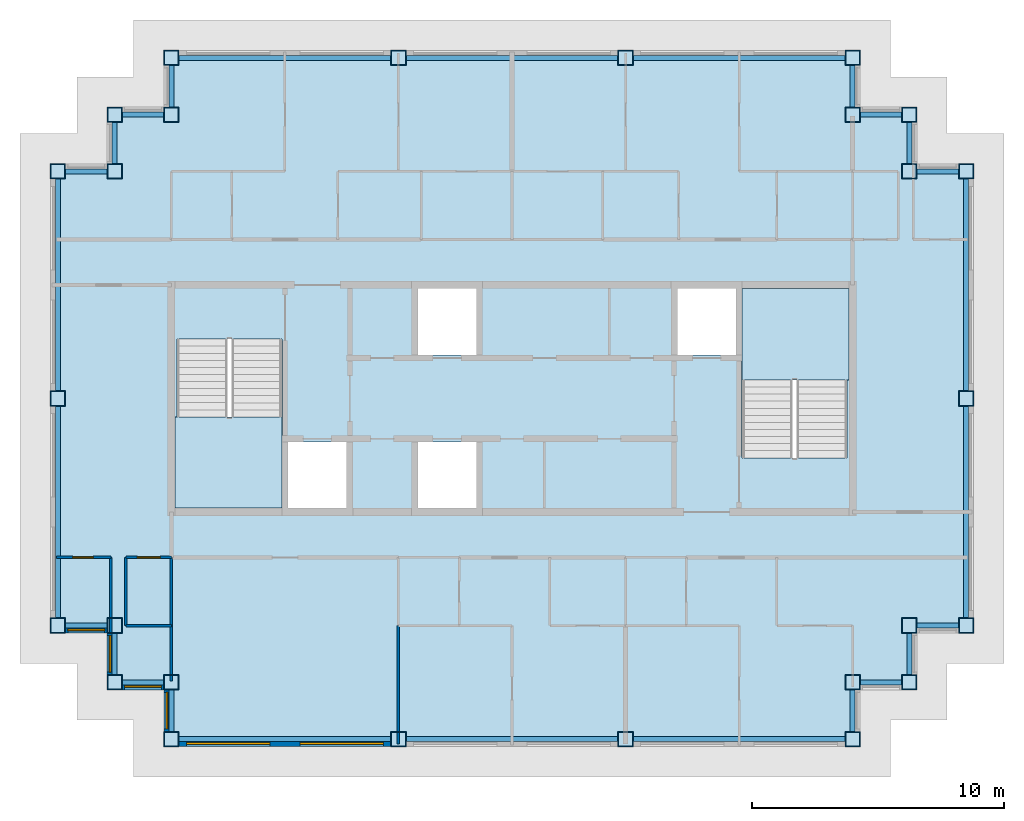
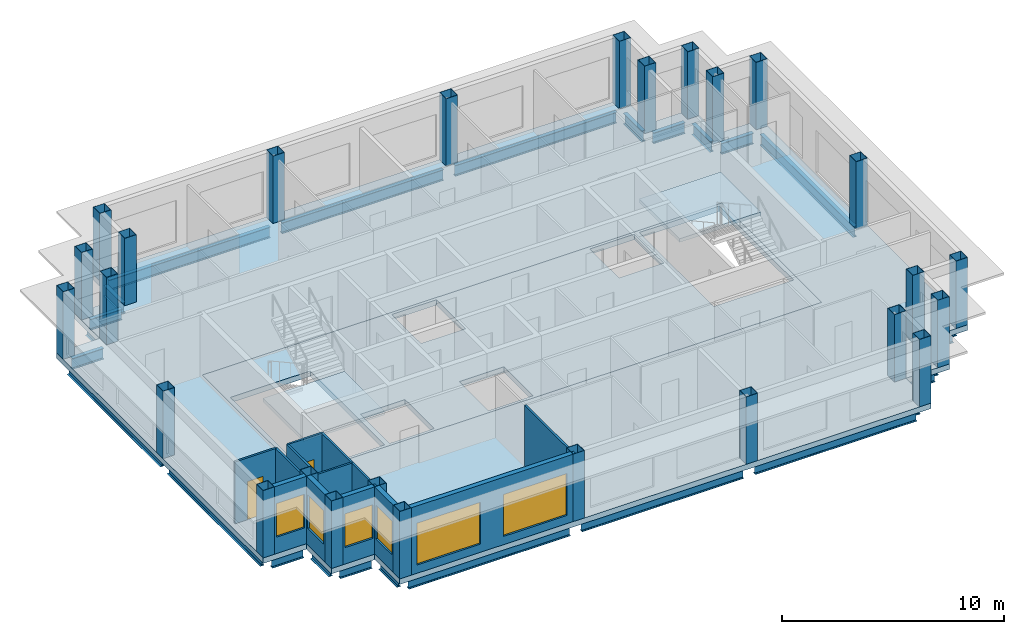
# One storey, part 1 of 11: 26 beams, 26 columns, 12 walls, 6 windows, 4 slabs, 2 doors, 8 openings, 2 elements without a shape of their own.
"""IFC4 building model written with IfcOpenShell, lengths in metres."""

import ifcopenshell
import ifcopenshell.guid

model = None  # the IFC model being written
_history = None  # IfcOwnerHistory: only IFC2X3 demands one
_inside = {}  # id of a spatial element -> (the spatial element, [elements in it])
_under = {}  # id of a project, library or spatial element -> (it, [spatial elements below it])
_declared = {}  # id of a project -> (the project, [libraries it declares])
_typed = {}  # id of a type object -> (the type object, [elements of that type])
_made_of = {}  # id of a material, layer set ... -> (it, [elements and type objects made of it])


def new_model(schema):
    """Start an empty IFC model of exactly this schema.

    Asked for "IFC4X3", IfcOpenShell would pick the latest addendum, in which some entities
    have other attributes; the version numbers below select the first issue.
    IFC2X3 requires an IfcOwnerHistory on every rooted entity: one is made here for all.
    """
    global model, _history
    if schema == "IFC4X3":
        model = ifcopenshell.file(schema_version=(4, 3, 0, 0))
    else:
        model = ifcopenshell.file(schema=schema)
    _inside.clear()
    _under.clear()
    _declared.clear()
    _typed.clear()
    _made_of.clear()
    _history = None
    if model.schema == "IFC2X3":
        org = make("IfcOrganization", Name="unknown")
        user = make(
            "IfcPersonAndOrganization",
            ThePerson=make("IfcPerson", FamilyName="unknown"),
            TheOrganization=org,
        )
        app = make(
            "IfcApplication",
            ApplicationDeveloper=org,
            Version="unknown",
            ApplicationFullName="unknown",
            ApplicationIdentifier="unknown",
        )
        _history = make(
            "IfcOwnerHistory",
            OwningUser=user,
            OwningApplication=app,
            ChangeAction="ADDED",
            CreationDate=0,
        )
    return model


def make(cls, **values):
    """One entity of the class cls with the attributes given. An attribute that is None is left unset."""
    return model.create_entity(
        cls, **{name: value for name, value in values.items() if value is not None}
    )


def rooted(cls, **values):
    """An entity with a GlobalId (a new one), such as an element, a storey or a relation."""
    return make(cls, GlobalId=ifcopenshell.guid.new(), OwnerHistory=_history, **values)


def si_unit(unit_type, name, prefix=None):
    """IfcSIUnit, for example si_unit("LENGTHUNIT", "METRE", prefix="MILLI")."""
    return make("IfcSIUnit", UnitType=unit_type, Prefix=prefix, Name=name)


def assignment(units):
    """IfcUnitAssignment: the units of a project."""
    return None if units is None else make("IfcUnitAssignment", Units=units)


def point(xyz):
    """IfcCartesianPoint."""
    return None if xyz is None else make("IfcCartesianPoint", Coordinates=xyz)


def direction(xyz):
    """IfcDirection."""
    return None if xyz is None else make("IfcDirection", DirectionRatios=xyz)


def frame(location, z_axis=None, x_axis=None):
    """IfcAxis2Placement3D, a coordinate frame: its origin and axes. An axis left out is left unset."""
    return make(
        "IfcAxis2Placement3D",
        Location=point(location),
        Axis=direction(z_axis),
        RefDirection=direction(x_axis),
    )


def frame_2d(location, x_axis=None):
    """IfcAxis2Placement2D, a coordinate frame in the plane: its origin and x axis."""
    return make(
        "IfcAxis2Placement2D", Location=point(location), RefDirection=direction(x_axis)
    )


def origin():
    """The frame at (0, 0, 0) with its axes left unset."""
    return frame((0.0, 0.0, 0.0))


def origin_2d():
    """The frame at (0, 0) in the plane with its x axis left unset."""
    return frame_2d((0.0, 0.0))


def place(relative_to, where):
    """IfcLocalPlacement: puts the frame where relative to a parent placement (None: the world)."""
    return make(
        "IfcLocalPlacement", PlacementRelTo=relative_to, RelativePlacement=where
    )


def context(
    kind, dimensions, precision=None, world=None, true_north=None, identifier=None
):
    """IfcGeometricRepresentationContext, for example the 3D "Model" context."""
    return make(
        "IfcGeometricRepresentationContext",
        ContextIdentifier=identifier,
        ContextType=kind,
        CoordinateSpaceDimension=dimensions,
        Precision=precision,
        WorldCoordinateSystem=world,
        TrueNorth=true_north,
    )


def subcontext(parent, identifier, kind, view, scale=None):
    """IfcGeometricRepresentationSubContext, for example "Body" below "Model"."""
    return make(
        "IfcGeometricRepresentationSubContext",
        ContextIdentifier=identifier,
        ContextType=kind,
        ParentContext=parent,
        TargetScale=scale,
        TargetView=view,
    )


def project(units=None, contexts=None):
    """IfcProject with its units and contexts."""
    return rooted(
        "IfcProject",
        Name="project",
        RepresentationContexts=contexts,
        UnitsInContext=assignment(units),
    )


def spatial(cls, under=None, at=None, **own):
    """A site, building, storey or space (cls), placed at a placement, below another one or the project."""
    s = rooted(cls, ObjectPlacement=at, **own)
    if under is not None:
        _under.setdefault(under.id(), (under, []))[1].append(s)
    return s


def polyline(points):
    """IfcPolyline through the points."""
    return make("IfcPolyline", Points=[point(p) for p in points])


def profile(cls, at=None, kind="AREA", **sizes):
    """A parametric profile (cls). Its sizes go by their IFC names, for example OverallWidth=200.0."""
    return make(cls, ProfileType=kind, Position=at, **sizes)


def rectangle(**sizes):
    """IfcRectangleProfileDef."""
    return profile("IfcRectangleProfileDef", **sizes)


def hollow_rectangle(**sizes):
    """IfcRectangleHollowProfileDef."""
    return profile("IfcRectangleHollowProfileDef", **sizes)


def i_section(**sizes):
    """IfcIShapeProfileDef."""
    return profile("IfcIShapeProfileDef", **sizes)


def outline(outer, holes=None, kind="AREA"):
    """IfcArbitraryClosedProfileDef: a profile drawn as a closed curve; with holes, ...WithVoids."""
    if holes is None:
        return make("IfcArbitraryClosedProfileDef", ProfileType=kind, OuterCurve=outer)
    return make(
        "IfcArbitraryProfileDefWithVoids",
        ProfileType=kind,
        OuterCurve=outer,
        InnerCurves=holes,
    )


def extrude(swept, where, along, depth):
    """IfcExtrudedAreaSolid: the profile swept, set in the frame where, extruded along a direction by depth."""
    return make(
        "IfcExtrudedAreaSolid",
        SweptArea=swept,
        Position=where,
        ExtrudedDirection=direction(along),
        Depth=depth,
    )


def shape(context_of_items, identifier, shape_type, items):
    """IfcShapeRepresentation: the items that make up one representation, for example the "Body"."""
    return make(
        "IfcShapeRepresentation",
        ContextOfItems=context_of_items,
        RepresentationIdentifier=identifier,
        RepresentationType=shape_type,
        Items=items,
    )


def material(Name=None, Category=None):
    """IfcMaterial."""
    return make("IfcMaterial", Name=Name, Category=Category)


def layer(
    of_material, thickness, ventilated=None, Name=None, Category=None, Priority=None
):
    """IfcMaterialLayer: one layer of a wall or slab, of a material (None: an air gap)."""
    return make(
        "IfcMaterialLayer",
        Material=of_material,
        LayerThickness=thickness,
        IsVentilated=ventilated,
        Name=Name,
        Category=Category,
        Priority=Priority,
    )


def layer_set(layers, Name=None):
    """IfcMaterialLayerSet."""
    return make("IfcMaterialLayerSet", MaterialLayers=layers, LayerSetName=Name)


def material_profile(
    of_material, cross_section, Name=None, Category=None, Priority=None
):
    """IfcMaterialProfile: a cross section and its material."""
    return make(
        "IfcMaterialProfile",
        Name=Name,
        Material=of_material,
        Profile=cross_section,
        Priority=Priority,
        Category=Category,
    )


def profile_set(profiles, Name=None, composite=None):
    """IfcMaterialProfileSet."""
    return make(
        "IfcMaterialProfileSet",
        Name=Name,
        MaterialProfiles=profiles,
        CompositeProfile=composite,
    )


def made_of(thing, what):
    """Note that an element or type object is made of a material, layer set ...; save() writes the relation."""
    if what is not None:
        _made_of.setdefault(what.id(), (what, []))[1].append(thing)
    return thing


def type_object(cls, material=None, **own):
    """A type object (cls), such as IfcWallType, which elements share."""
    return made_of(rooted(cls, **own), material)


def element(
    cls,
    number,
    at=None,
    inside=None,
    cuts=None,
    type_object=None,
    material=None,
    context=None,
    identifier="Body",
    shape_type=None,
    held_by="IfcProductDefinitionShape",
    body=None,
    shapes=None,
    **own,
):
    """One element of the class cls, such as IfcWall. Its Tag is "e" and its number.

    at: its placement. inside: the storey or other place that contains it. cuts: it is an
    opening in that element (IfcRelVoidsElement). A single representation is given by context,
    identifier, shape_type and body (its items); several are given by shapes. held_by: the class
    of the entity that holds the representations. save() writes the other relations.
    """
    e = rooted(cls, Tag="e%d" % number, ObjectPlacement=at, **own)
    if body is not None:
        shapes = [shape(context, identifier, shape_type, body)]
    if shapes is not None:
        e.Representation = make(held_by, Representations=shapes)
    if inside is not None:
        _inside.setdefault(inside.id(), (inside, []))[1].append(e)
    if cuts is not None:
        rooted(
            "IfcRelVoidsElement", RelatingBuildingElement=cuts, RelatedOpeningElement=e
        )
    if type_object is not None:
        _typed.setdefault(type_object.id(), (type_object, []))[1].append(e)
    return made_of(e, material)


def fill(opening, filler):
    """IfcRelFillsElement: the door or window that sits in an opening."""
    return rooted(
        "IfcRelFillsElement",
        RelatingOpeningElement=opening,
        RelatedBuildingElement=filler,
    )


def aggregate(whole, parts):
    """IfcRelAggregates: a whole, such as a stair, and the parts it consists of."""
    return rooted("IfcRelAggregates", RelatingObject=whole, RelatedObjects=parts)


def save(model, path):
    """Write the relations noted so far, then the file.

    IfcRelAggregates (storeys below a building ...), IfcRelContainedInSpatialStructure (elements
    in a storey), IfcRelDefinesByType, IfcRelAssociatesMaterial and IfcRelDeclares: one each for
    every whole, place, type object, material and project.
    """
    for whole, parts in _under.values():
        aggregate(whole, parts)
    for where, things in _inside.values():
        rooted(
            "IfcRelContainedInSpatialStructure",
            RelatedElements=things,
            RelatingStructure=where,
        )
    for kind, things in _typed.values():
        rooted("IfcRelDefinesByType", RelatedObjects=things, RelatingType=kind)
    for what, things in _made_of.values():
        rooted("IfcRelAssociatesMaterial", RelatedObjects=things, RelatingMaterial=what)
    for by, libraries in _declared.values():
        rooted("IfcRelDeclares", RelatingContext=by, RelatedDefinitions=libraries)
    model.write(path)


model = new_model("IFC4")

# Units and contexts
model_context = context("Model", 3, precision=1e-05, world=origin(), true_north=direction((0.0, 1.0)))
body_context = subcontext(model_context, "Body", "Model", "MODEL_VIEW")
ifc_project = project(units=[si_unit("LENGTHUNIT", "METRE"), si_unit("AREAUNIT", "SQUARE_METRE"), si_unit("VOLUMEUNIT", "CUBIC_METRE"), si_unit("PLANEANGLEUNIT", "RADIAN"), si_unit("MASSUNIT", "GRAM", prefix="KILO")], contexts=[model_context])

# Site, building, storey
site_placement = place(None, origin())
site = spatial("IfcSite", under=ifc_project, at=site_placement, CompositionType="ELEMENT")
building_placement = place(site_placement, origin())
building = spatial("IfcBuilding", under=site, at=building_placement, Name="Caravel Reach Hotel and Residences", CompositionType="ELEMENT")
storey_placement = place(building_placement, frame((0.0, 0.0, 287.10009765625)))
storey = spatial("IfcBuildingStorey", under=building, at=storey_placement, Name="L73", CompositionType="ELEMENT", Elevation=287.10009765625)

# Columns
ifc_material_1 = material(Name="Concrete-filled steel tube Q390B with Concrete C60 infill", Category="concrete")
ifc_material_profile_1 = material_profile(ifc_material_1, hollow_rectangle(XDim=0.60009765625, YDim=0.60009765625, WallThickness=0.02001953125, at=origin_2d()), Name="RHS 600x600x20")
ifc_profile_set_1 = profile_set([ifc_material_profile_1], Name="Concrete-filled steel tube Q390B with Concrete C60 infill")
column_type = type_object("IfcColumnType", Name="CFT 600x600 Q390B C60", PredefinedType="COLUMN", material=ifc_profile_set_1)
for number, where, z_axis, x_axis, name in (
    (1, (45.0, 13.5, 0.0), (0.0, 0.0, 1.0), (1.0, 0.0, 0.0), "C8 column"),
    (2, (45.0, 15.75, 0.0), (0.0, 0.0, 1.0), (1.0, 0.0, 0.0), "C8 column"),
    (3, (47.25, 15.75, 0.0), (0.0, 0.0, 1.0), (1.0, 0.0, 0.0), "C8 column"),
    (4, (47.25, 18.0, 0.0), (0.0, 0.0, 1.0), (1.0, 0.0, 0.0), "C8 column"),
    (5, (49.5, 18.0, 0.0), (0.0, 0.0, 1.0), (1.0, 0.0, 0.0), "C8 column"),
    (6, (49.5, 27.0, 0.0), (0.0, 0.0, 1.0), (1.0, 0.0, 0.0), "C8 column"),
    (7, (49.5, 36.0, 0.0), (0.0, 0.0, 1.0), (1.0, 0.0, 0.0), "C8 column"),
    (8, (47.25, 36.0, 0.0), (0.0, 0.0, 1.0), (1.0, 0.0, 0.0), "C8 column"),
    (9, (47.25, 38.25, 0.0), (0.0, 0.0, 1.0), (1.0, 0.0, 0.0), "C8 column"),
    (10, (45.0, 38.25, 0.0), (0.0, 0.0, 1.0), (1.0, 0.0, 0.0), "C8 column"),
    (11, (45.0, 40.5, 0.0), (0.0, 0.0, 1.0), (1.0, 0.0, 0.0), "C8 column"),
    (12, (36.0, 40.5, 0.0), (0.0, 0.0, 1.0), (1.0, 0.0, 0.0), "C8 column"),
    (13, (27.0, 40.5, 0.0), (0.0, 0.0, 1.0), (1.0, 0.0, 0.0), "C8 column"),
    (14, (18.0, 40.5, 0.0), (0.0, 0.0, 1.0), (1.0, 0.0, 0.0), "C8 column"),
    (15, (18.0, 38.25, 0.0), (0.0, 0.0, 1.0), (1.0, 0.0, 0.0), "C8 column"),
    (16, (15.75, 38.25, 0.0), (0.0, 0.0, 1.0), (1.0, 0.0, 0.0), "C8 column"),
    (17, (15.75, 36.0, 0.0), (0.0, 0.0, 1.0), (1.0, 0.0, 0.0), "C8 column"),
    (18, (13.5, 36.0, 0.0), (0.0, 0.0, 1.0), (1.0, 0.0, 0.0), "C8 column"),
    (19, (13.5, 27.0, 0.0), (0.0, 0.0, 1.0), (1.0, 0.0, 0.0), "C8 column"),
    (20, (13.5, 18.0, 0.0), (0.0, 0.0, 1.0), (1.0, 0.0, 0.0), "C8 column"),
    (21, (15.75, 18.0, 0.0), (0.0, 0.0, 1.0), (1.0, 0.0, 0.0), "C8 column"),
    (22, (15.75, 15.75, 0.0), (0.0, 0.0, 1.0), (1.0, 0.0, 0.0), "C8 column"),
    (23, (18.0, 15.75, 0.0), (0.0, 0.0, 1.0), (1.0, 0.0, 0.0), "C8 column"),
    (24, (18.0, 13.5, 0.0), (0.0, 0.0, 1.0), (1.0, 0.0, 0.0), "C8 column"),
    (25, (27.0, 13.5, 0.0), (0.0, 0.0, 1.0), (1.0, 0.0, 0.0), "C8 column"),
    (26, (36.0, 13.5, 0.0), (0.0, 0.0, 1.0), (1.0, 0.0, 0.0), "C8 column"),
):
    element("IfcColumn", number, at=place(storey_placement, frame(where, z_axis=z_axis, x_axis=x_axis)), inside=storey, type_object=column_type, Name=name, PredefinedType="COLUMN", context=body_context, shape_type="SweptSolid", body=[
        extrude(hollow_rectangle(XDim=0.60009765625, YDim=0.60009765625, WallThickness=0.02001953125, at=origin_2d()), origin(), (0.0, 0.0, 1.0), 3.699951171875),
    ])

# Beams
ifc_material_2 = material(Name="Structural steel Q355B", Category="steel")
ifc_material_profile_2 = material_profile(ifc_material_2, i_section(OverallWidth=0.199951171875, OverallDepth=0.60009765625, WebThickness=0.010986328125, FlangeThickness=0.01708984375, FilletRadius=0.012939453125, at=origin_2d()), Name="HN 600x200x11x17")
ifc_profile_set_2 = profile_set([ifc_material_profile_2], Name="Structural steel Q355B")
beam_type = type_object("IfcBeamType", Name="Spandrel beam HN 600x200x11x17", PredefinedType="SPANDREL", material=ifc_profile_set_2)
for number, where, z_axis, x_axis, name in (
    (27, (45.0, 13.800048828125, -0.60009765625), (0.0, 1.0, 0.0), (-1.0, 0.0, 0.0), "SP1 HN 600x200x11x17"),
    (28, (45.300048828125, 15.75, -0.60009765625), (1.0, 0.0, 0.0), (0.0, 1.0, 0.0), "SP1 HN 600x200x11x17"),
    (29, (47.25, 16.050048828125, -0.60009765625), (0.0, 1.0, 0.0), (-1.0, 0.0, 0.0), "SP1 HN 600x200x11x17"),
    (30, (47.550048828125, 18.0, -0.60009765625), (1.0, 0.0, 0.0), (0.0, 1.0, 0.0), "SP1 HN 600x200x11x17"),
):
    element("IfcBeam", number, at=place(storey_placement, frame(where, z_axis=z_axis, x_axis=x_axis)), inside=storey, type_object=beam_type, Name=name, PredefinedType="SPANDREL", context=body_context, shape_type="SweptSolid", body=[
        extrude(i_section(OverallWidth=0.199951171875, OverallDepth=0.60009765625, WebThickness=0.010986328125, FlangeThickness=0.01708984375, FilletRadius=0.012939453125, at=origin_2d()), origin(), (0.0, 0.0, 1.0), 1.64990234375),
    ])
for number, where, z_axis, x_axis, name in (
    (31, (49.5, 18.300048828125, -0.60009765625), (0.0, 1.0, 0.0), (-1.0, 0.0, 0.0), "SP1 HN 600x200x11x17"),
    (32, (49.5, 27.300048828125, -0.60009765625), (0.0, 1.0, 0.0), (-1.0, 0.0, 0.0), "SP1 HN 600x200x11x17"),
):
    element("IfcBeam", number, at=place(storey_placement, frame(where, z_axis=z_axis, x_axis=x_axis)), inside=storey, type_object=beam_type, Name=name, PredefinedType="SPANDREL", context=body_context, shape_type="SweptSolid", body=[
        extrude(i_section(OverallWidth=0.199951171875, OverallDepth=0.60009765625, WebThickness=0.010986328125, FlangeThickness=0.01708984375, FilletRadius=0.012939453125, at=origin_2d()), origin(), (0.0, 0.0, 1.0), 8.39990234375),
    ])
for number, where, z_axis, x_axis, name in (
    (33, (49.199951171875, 36.0, -0.60009765625), (-1.0, 0.0, 0.0), (0.0, -1.0, 0.0), "SP1 HN 600x200x11x17"),
    (34, (47.25, 36.300048828125, -0.60009765625), (0.0, 1.0, 0.0), (-1.0, 0.0, 0.0), "SP1 HN 600x200x11x17"),
    (35, (46.949951171875, 38.25, -0.60009765625), (-1.0, 0.0, 0.0), (0.0, -1.0, 0.0), "SP1 HN 600x200x11x17"),
    (36, (45.0, 38.550048828125, -0.60009765625), (0.0, 1.0, 0.0), (-1.0, 0.0, 0.0), "SP1 HN 600x200x11x17"),
):
    element("IfcBeam", number, at=place(storey_placement, frame(where, z_axis=z_axis, x_axis=x_axis)), inside=storey, type_object=beam_type, Name=name, PredefinedType="SPANDREL", context=body_context, shape_type="SweptSolid", body=[
        extrude(i_section(OverallWidth=0.199951171875, OverallDepth=0.60009765625, WebThickness=0.010986328125, FlangeThickness=0.01708984375, FilletRadius=0.012939453125, at=origin_2d()), origin(), (0.0, 0.0, 1.0), 1.64990234375),
    ])
for number, where, z_axis, x_axis, name in (
    (37, (44.699951171875, 40.5, -0.60009765625), (-1.0, 0.0, 0.0), (0.0, -1.0, 0.0), "SP1 HN 600x200x11x17"),
    (38, (35.699951171875, 40.5, -0.60009765625), (-1.0, 0.0, 0.0), (0.0, -1.0, 0.0), "SP1 HN 600x200x11x17"),
    (39, (26.699951171875, 40.5, -0.60009765625), (-1.0, 0.0, 0.0), (0.0, -1.0, 0.0), "SP1 HN 600x200x11x17"),
):
    element("IfcBeam", number, at=place(storey_placement, frame(where, z_axis=z_axis, x_axis=x_axis)), inside=storey, type_object=beam_type, Name=name, PredefinedType="SPANDREL", context=body_context, shape_type="SweptSolid", body=[
        extrude(i_section(OverallWidth=0.199951171875, OverallDepth=0.60009765625, WebThickness=0.010986328125, FlangeThickness=0.01708984375, FilletRadius=0.012939453125, at=origin_2d()), origin(), (0.0, 0.0, 1.0), 8.39990234375),
    ])
for number, where, z_axis, x_axis, name in (
    (40, (18.0, 40.199951171875, -0.60009765625), (0.0, -1.0, 0.0), (1.0, 0.0, 0.0), "SP1 HN 600x200x11x17"),
    (41, (17.699951171875, 38.25, -0.60009765625), (-1.0, 0.0, 0.0), (0.0, -1.0, 0.0), "SP1 HN 600x200x11x17"),
    (42, (15.75, 37.949951171875, -0.60009765625), (0.0, -1.0, 0.0), (1.0, 0.0, 0.0), "SP1 HN 600x200x11x17"),
    (43, (15.449951171875, 36.0, -0.60009765625), (-1.0, 0.0, 0.0), (0.0, -1.0, 0.0), "SP1 HN 600x200x11x17"),
):
    element("IfcBeam", number, at=place(storey_placement, frame(where, z_axis=z_axis, x_axis=x_axis)), inside=storey, type_object=beam_type, Name=name, PredefinedType="SPANDREL", context=body_context, shape_type="SweptSolid", body=[
        extrude(i_section(OverallWidth=0.199951171875, OverallDepth=0.60009765625, WebThickness=0.010986328125, FlangeThickness=0.01708984375, FilletRadius=0.012939453125, at=origin_2d()), origin(), (0.0, 0.0, 1.0), 1.64990234375),
    ])
for number, where, z_axis, x_axis, name in (
    (44, (13.5, 35.699951171875, -0.60009765625), (0.0, -1.0, 0.0), (1.0, 0.0, 0.0), "SP1 HN 600x200x11x17"),
    (45, (13.5, 26.699951171875, -0.60009765625), (0.0, -1.0, 0.0), (1.0, 0.0, 0.0), "SP1 HN 600x200x11x17"),
):
    element("IfcBeam", number, at=place(storey_placement, frame(where, z_axis=z_axis, x_axis=x_axis)), inside=storey, type_object=beam_type, Name=name, PredefinedType="SPANDREL", context=body_context, shape_type="SweptSolid", body=[
        extrude(i_section(OverallWidth=0.199951171875, OverallDepth=0.60009765625, WebThickness=0.010986328125, FlangeThickness=0.01708984375, FilletRadius=0.012939453125, at=origin_2d()), origin(), (0.0, 0.0, 1.0), 8.39990234375),
    ])
for number, where, z_axis, x_axis, name in (
    (46, (13.800048828125, 18.0, -0.60009765625), (1.0, 0.0, 0.0), (0.0, 1.0, 0.0), "SP1 HN 600x200x11x17"),
    (47, (15.75, 17.699951171875, -0.60009765625), (0.0, -1.0, 0.0), (1.0, 0.0, 0.0), "SP1 HN 600x200x11x17"),
    (48, (16.050048828125, 15.75, -0.60009765625), (1.0, 0.0, 0.0), (0.0, 1.0, 0.0), "SP1 HN 600x200x11x17"),
    (49, (18.0, 15.449951171875, -0.60009765625), (0.0, -1.0, 0.0), (1.0, 0.0, 0.0), "SP1 HN 600x200x11x17"),
):
    element("IfcBeam", number, at=place(storey_placement, frame(where, z_axis=z_axis, x_axis=x_axis)), inside=storey, type_object=beam_type, Name=name, PredefinedType="SPANDREL", context=body_context, shape_type="SweptSolid", body=[
        extrude(i_section(OverallWidth=0.199951171875, OverallDepth=0.60009765625, WebThickness=0.010986328125, FlangeThickness=0.01708984375, FilletRadius=0.012939453125, at=origin_2d()), origin(), (0.0, 0.0, 1.0), 1.64990234375),
    ])
for number, where, z_axis, x_axis, name in (
    (50, (18.300048828125, 13.5, -0.60009765625), (1.0, 0.0, 0.0), (0.0, 1.0, 0.0), "SP1 HN 600x200x11x17"),
    (51, (27.300048828125, 13.5, -0.60009765625), (1.0, 0.0, 0.0), (0.0, 1.0, 0.0), "SP1 HN 600x200x11x17"),
    (52, (36.300048828125, 13.5, -0.60009765625), (1.0, 0.0, 0.0), (0.0, 1.0, 0.0), "SP1 HN 600x200x11x17"),
):
    element("IfcBeam", number, at=place(storey_placement, frame(where, z_axis=z_axis, x_axis=x_axis)), inside=storey, type_object=beam_type, Name=name, PredefinedType="SPANDREL", context=body_context, shape_type="SweptSolid", body=[
        extrude(i_section(OverallWidth=0.199951171875, OverallDepth=0.60009765625, WebThickness=0.010986328125, FlangeThickness=0.01708984375, FilletRadius=0.012939453125, at=origin_2d()), origin(), (0.0, 0.0, 1.0), 8.39990234375),
    ])

# Slab
ifc_material_3 = material(Name="Concrete C40", Category="concrete")
ifc_layer_1 = layer(ifc_material_3, 0.300048828125)
ifc_layer_set_1 = layer_set([ifc_layer_1], Name="Core floor slab 300 mm")
slab_type_1 = type_object("IfcSlabType", Name="Core floor slab 300 mm", PredefinedType="FLOOR", material=ifc_layer_set_1)
slab_1_placement = place(storey_placement, frame((0.0, 0.0, -0.300048828125)))
element("IfcSlab", 53, at=slab_1_placement, inside=storey, type_object=slab_type_1, Name="L73 core floor", PredefinedType="FLOOR", context=body_context, shape_type="SweptSolid", body=[
    extrude(outline(polyline([(18.0, 31.5), (45.0, 31.5), (45.0, 22.5), (18.0, 22.5), (18.0, 31.5)]), holes=[polyline([(22.625, 22.64990234375), (24.9462890625, 22.64990234375), (24.9462890625, 25.27490234375), (22.625, 25.27490234375), (22.625, 22.64990234375)]), polyline([(27.767822265625, 25.27490234375), (27.767822265625, 22.64990234375), (30.08935546875, 22.64990234375), (30.08935546875, 25.27490234375), (27.767822265625, 25.27490234375)]), polyline([(22.375, 22.64990234375), (22.375, 29.35009765625), (18.22509765625, 29.35009765625), (18.22509765625, 22.64990234375), (22.375, 22.64990234375)]), polyline([(40.625, 24.64990234375), (44.77490234375, 24.64990234375), (44.77490234375, 31.35009765625), (40.625, 31.35009765625), (40.625, 24.64990234375)]), polyline([(27.767822265625, 31.35009765625), (27.767822265625, 28.72509765625), (30.08935546875, 28.72509765625), (30.08935546875, 31.35009765625), (27.767822265625, 31.35009765625)]), polyline([(38.0537109375, 31.35009765625), (38.0537109375, 28.72509765625), (40.375, 28.72509765625), (40.375, 31.35009765625), (38.0537109375, 31.35009765625)])]), origin(), (0.0, 0.0, 1.0), 0.300048828125),
])

# Stair, slab
ifc_material_4 = material(Name="Concrete C40", Category="concrete")
stair_type = type_object("IfcStairType", Name="Core stair", PredefinedType="HALF_TURN_STAIR", material=ifc_material_4)
stair_1_placement = place(storey_placement, origin())
stair_1 = element("IfcStair", 54, at=stair_1_placement, inside=storey, type_object=stair_type, Name="L73 Exit stair A", PredefinedType="HALF_TURN_STAIR")
ifc_material_5 = material(Name="Concrete C40", Category="concrete")
ifc_layer_2 = layer(ifc_material_5, 0.199951171875)
ifc_layer_set_2 = layer_set([ifc_layer_2], Name="Core stair landing")
slab_type_2 = type_object("IfcSlabType", Name="Core stair landing", PredefinedType="LANDING", material=ifc_layer_set_2)
slab_2_placement = place(storey_placement, frame((0.0, 0.0, 1.64990234375)))
slab_2 = element("IfcSlab", 55, at=slab_2_placement, type_object=slab_type_2, Name="ST-A landing 1", PredefinedType="LANDING", context=body_context, shape_type="SweptSolid", body=[
    extrude(outline(polyline([(18.14990234375, 26.27001953125), (18.14990234375, 22.64990234375), (22.375, 22.64990234375), (22.375, 26.27001953125), (18.14990234375, 26.27001953125)])), origin(), (0.0, 0.0, 1.0), 0.199951171875),
])
aggregate(stair_1, [slab_2])

stair_2_placement = place(storey_placement, origin())
stair_2 = element("IfcStair", 56, at=stair_2_placement, inside=storey, type_object=stair_type, Name="L73 Exit stair B", PredefinedType="HALF_TURN_STAIR")
slab_3_placement = place(storey_placement, frame((0.0, 0.0, 1.64990234375)))
slab_3 = element("IfcSlab", 57, at=slab_3_placement, type_object=slab_type_2, Name="ST-B landing 1", PredefinedType="LANDING", context=body_context, shape_type="SweptSolid", body=[
    extrude(outline(polyline([(44.85009765625, 27.72998046875), (44.85009765625, 31.35009765625), (40.625, 31.35009765625), (40.625, 27.72998046875), (44.85009765625, 27.72998046875)])), origin(), (0.0, 0.0, 1.0), 0.199951171875),
])
aggregate(stair_2, [slab_3])

# Slab
ifc_material_6 = material(Name="Concrete C40 post-tensioned", Category="concrete")
ifc_layer_3 = layer(ifc_material_6, 0.300048828125)
ifc_layer_set_3 = layer_set([ifc_layer_3], Name="Floor slab 300")
slab_type_3 = type_object("IfcSlabType", Name="Floor slab 300", PredefinedType="FLOOR", material=ifc_layer_set_3)
slab_4_placement = place(storey_placement, frame((0.0, 0.0, -0.300048828125)))
element("IfcSlab", 58, at=slab_4_placement, inside=storey, type_object=slab_type_3, Name="S2 slab L73", PredefinedType="FLOOR", context=body_context, shape_type="SweptSolid", body=[
    extrude(outline(polyline([(17.699951171875, 15.449951171875), (15.449951171875, 15.449951171875), (15.449951171875, 17.699951171875), (13.199951171875, 17.699951171875), (13.199951171875, 36.300048828125), (15.449951171875, 36.300048828125), (15.449951171875, 38.550048828125), (17.699951171875, 38.550048828125), (17.699951171875, 40.800048828125), (45.300048828125, 40.800048828125), (45.300048828125, 38.550048828125), (47.550048828125, 38.550048828125), (47.550048828125, 36.300048828125), (49.800048828125, 36.300048828125), (49.800048828125, 17.699951171875), (47.550048828125, 17.699951171875), (47.550048828125, 15.449951171875), (45.300048828125, 15.449951171875), (45.300048828125, 13.199951171875), (17.699951171875, 13.199951171875), (17.699951171875, 15.449951171875)]), holes=[polyline([(45.0, 31.5), (18.0, 31.5), (18.0, 22.5), (45.0, 22.5), (45.0, 31.5)])]), origin(), (0.0, 0.0, 1.0), 0.300048828125),
])

# Wall, opening, door
ifc_material_7 = material(Name="Gypsum board on steel stud", Category="steel")
ifc_layer_4 = layer(ifc_material_7, 0.10009765625)
ifc_layer_set_4 = layer_set([ifc_layer_4], Name="Bathroom pod wall 100 mm")
wall_type_1 = type_object("IfcWallType", Name="Bathroom pod wall 100 mm", PredefinedType="PARTITIONING", material=ifc_layer_set_4)
wall_1_placement = place(storey_placement, frame((13.449951171875, 20.699951171875, 0.0), z_axis=(0.0, 0.0, 1.0), x_axis=(1.0, 0.0, 0.0)))
wall_1 = element("IfcWall", 59, at=wall_1_placement, inside=storey, type_object=wall_type_1, Name="L73 wall w052", PredefinedType="PARTITIONING", context=body_context, shape_type="SweptSolid", body=[
    extrude(rectangle(XDim=2.150146484375, YDim=0.10009765625, at=frame_2d((1.0751953125, 0.0))), origin(), (0.0, 0.0, 1.0), 3.39990234375),
])
opening_1_placement = place(wall_1_placement, frame((0.64990234375, 0.0, 0.0)))
opening_1 = element("IfcOpeningElement", 60, at=opening_1_placement, cuts=wall_1, Name="Opening D73-039", PredefinedType="OPENING", context=body_context, shape_type="SweptSolid", body=[
    extrude(rectangle(XDim=0.800048828125, YDim=2.10009765625, at=frame_2d((0.39990234375, 1.050048828125))), frame((0.0, 0.06005859375, 0.0), z_axis=(0.0, -1.0, 0.0), x_axis=(1.0, 0.0, 0.0)), (0.0, 0.0, 1.0), 0.1201171875),
])
ifc_material_8 = material(Name="Timber and steel door leaf", Category="steel")
door_type_1 = type_object("IfcDoorType", Name="Bathroom door 800 x 2100", OperationType="SINGLE_SWING_LEFT", PredefinedType="DOOR", material=ifc_material_8)
door_1_placement = place(opening_1_placement, origin())
door_1 = element("IfcDoor", 61, at=door_1_placement, inside=storey, type_object=door_type_1, Name="door D73-039", OperationType="SINGLE_SWING_LEFT", OverallHeight=2.10009765625, OverallWidth=0.800048828125, PredefinedType="DOOR", context=body_context, shape_type="SweptSolid", body=[
    extrude(rectangle(XDim=0.800048828125, YDim=2.10009765625, at=frame_2d((0.39990234375, 1.050048828125))), frame((0.0, 0.02490234375, 0.0), z_axis=(0.0, -1.0, 0.0), x_axis=(1.0, 0.0, 0.0)), (0.0, 0.0, 1.0), 0.050048828125),
])
fill(opening_1, door_1)

# Wall
wall_2_placement = place(storey_placement, frame((15.60009765625, 17.699951171875, 0.0), z_axis=(0.0, 0.0, 1.0), x_axis=(0.0, 1.0, 0.0)))
element("IfcWall", 62, at=wall_2_placement, inside=storey, type_object=wall_type_1, Name="L73 wall w062", PredefinedType="PARTITIONING", context=body_context, shape_type="SweptSolid", body=[
    extrude(rectangle(XDim=3.0, YDim=0.10009765625, at=frame_2d((1.5, 0.0))), origin(), (0.0, 0.0, 1.0), 3.39990234375),
])

# Wall, opening, window
ifc_material_9 = material(Name="Insulated rainscreen wall, aluminium cladding", Category="aluminium")
ifc_layer_5 = layer(ifc_material_9, 0.25)
ifc_layer_set_5 = layer_set([ifc_layer_5], Name="EW1 Tower rainscreen wall")
wall_type_2 = type_object("IfcWallType", Name="EW1 Tower rainscreen wall", PredefinedType="SOLIDWALL", material=ifc_layer_set_5)
wall_3_placement = place(storey_placement, frame((13.800048828125, 17.824951171875, 0.0), z_axis=(0.0, 0.0, 1.0), x_axis=(1.0, 0.0, 0.0)))
wall_3 = element("IfcWall", 63, at=wall_3_placement, inside=storey, type_object=wall_type_2, Name="External wall L73 S16.1", PredefinedType="SOLIDWALL", context=body_context, shape_type="SweptSolid", body=[
    extrude(rectangle(XDim=1.64990234375, YDim=0.25, at=frame_2d((0.824951171875, 0.0))), origin(), (0.0, 0.0, 1.0), 3.699951171875),
])
opening_2_placement = place(wall_3_placement, frame((0.10009765625, 0.0, 0.89990234375)))
opening_2 = element("IfcOpeningElement", 64, at=opening_2_placement, cuts=wall_3, Name="Opening WN25", PredefinedType="OPENING", context=body_context, shape_type="SweptSolid", body=[
    extrude(rectangle(XDim=1.449951171875, YDim=1.85009765625, at=frame_2d((0.72509765625, 0.925048828125))), frame((0.0, 0.135009765625, 0.0), z_axis=(0.0, -1.0, 0.0), x_axis=(1.0, 0.0, 0.0)), (0.0, 0.0, 1.0), 0.27001953125),
])
ifc_material_10 = material(Name="Dark low-e glazing in black aluminium frame", Category="aluminium")
window_type_1 = type_object("IfcWindowType", Name="Residence bedroom window 1450 x 1850", PartitioningType="SINGLE_PANEL", PredefinedType="WINDOW", material=ifc_material_10)
window_1_placement = place(opening_2_placement, origin())
window_1 = element("IfcWindow", 65, at=window_1_placement, inside=storey, type_object=window_type_1, Name="Window L73 S16.1.1", OverallHeight=1.85009765625, OverallWidth=1.449951171875, PartitioningType="SINGLE_PANEL", PredefinedType="WINDOW", context=body_context, shape_type="SweptSolid", body=[
    extrude(rectangle(XDim=1.449951171875, YDim=1.85009765625, at=frame_2d((0.72509765625, 0.925048828125))), frame((0.0, 0.030029296875, 0.0), z_axis=(0.0, -1.0, 0.0), x_axis=(1.0, 0.0, 0.0)), (0.0, 0.0, 1.0), 0.06005859375),
])
fill(opening_2, window_1)

wall_4_placement = place(storey_placement, frame((15.574951171875, 17.699951171875, 0.0), z_axis=(0.0, 0.0, 1.0), x_axis=(0.0, -1.0, 0.0)))
wall_4 = element("IfcWall", 66, at=wall_4_placement, inside=storey, type_object=wall_type_2, Name="External wall L73 W17.1", PredefinedType="SOLIDWALL", context=body_context, shape_type="SweptSolid", body=[
    extrude(rectangle(XDim=1.64990234375, YDim=0.25, at=frame_2d((0.824951171875, 0.0))), origin(), (0.0, 0.0, 1.0), 3.699951171875),
])
opening_3_placement = place(wall_4_placement, frame((0.10009765625, 0.0, 0.89990234375)))
opening_3 = element("IfcOpeningElement", 67, at=opening_3_placement, cuts=wall_4, Name="Opening WN25", PredefinedType="OPENING", context=body_context, shape_type="SweptSolid", body=[
    extrude(rectangle(XDim=1.449951171875, YDim=1.85009765625, at=frame_2d((0.72509765625, 0.925048828125))), frame((0.0, 0.135009765625, 0.0), z_axis=(0.0, -1.0, 0.0), x_axis=(1.0, 0.0, 0.0)), (0.0, 0.0, 1.0), 0.27001953125),
])
window_2_placement = place(opening_3_placement, origin())
window_2 = element("IfcWindow", 68, at=window_2_placement, inside=storey, type_object=window_type_1, Name="Window L73 W17.1.1", OverallHeight=1.85009765625, OverallWidth=1.449951171875, PartitioningType="SINGLE_PANEL", PredefinedType="WINDOW", context=body_context, shape_type="SweptSolid", body=[
    extrude(rectangle(XDim=1.449951171875, YDim=1.85009765625, at=frame_2d((0.72509765625, 0.925048828125))), frame((0.0, 0.030029296875, 0.0), z_axis=(0.0, -1.0, 0.0), x_axis=(1.0, 0.0, 0.0)), (0.0, 0.0, 1.0), 0.06005859375),
])
fill(opening_3, window_2)

wall_5_placement = place(storey_placement, frame((16.050048828125, 15.574951171875, 0.0), z_axis=(0.0, 0.0, 1.0), x_axis=(1.0, 0.0, 0.0)))
wall_5 = element("IfcWall", 69, at=wall_5_placement, inside=storey, type_object=wall_type_2, Name="External wall L73 S18.1", PredefinedType="SOLIDWALL", context=body_context, shape_type="SweptSolid", body=[
    extrude(rectangle(XDim=1.64990234375, YDim=0.25, at=frame_2d((0.824951171875, 0.0))), origin(), (0.0, 0.0, 1.0), 3.699951171875),
])
opening_4_placement = place(wall_5_placement, frame((0.10009765625, 0.0, 0.89990234375)))
opening_4 = element("IfcOpeningElement", 70, at=opening_4_placement, cuts=wall_5, Name="Opening WN25", PredefinedType="OPENING", context=body_context, shape_type="SweptSolid", body=[
    extrude(rectangle(XDim=1.449951171875, YDim=1.85009765625, at=frame_2d((0.72509765625, 0.925048828125))), frame((0.0, 0.135009765625, 0.0), z_axis=(0.0, -1.0, 0.0), x_axis=(1.0, 0.0, 0.0)), (0.0, 0.0, 1.0), 0.27001953125),
])
window_3_placement = place(opening_4_placement, origin())
window_3 = element("IfcWindow", 71, at=window_3_placement, inside=storey, type_object=window_type_1, Name="Window L73 S18.1.1", OverallHeight=1.85009765625, OverallWidth=1.449951171875, PartitioningType="SINGLE_PANEL", PredefinedType="WINDOW", context=body_context, shape_type="SweptSolid", body=[
    extrude(rectangle(XDim=1.449951171875, YDim=1.85009765625, at=frame_2d((0.72509765625, 0.925048828125))), frame((0.0, 0.030029296875, 0.0), z_axis=(0.0, -1.0, 0.0), x_axis=(1.0, 0.0, 0.0)), (0.0, 0.0, 1.0), 0.06005859375),
])
fill(opening_4, window_3)

wall_6_placement = place(storey_placement, frame((17.824951171875, 15.449951171875, 0.0), z_axis=(0.0, 0.0, 1.0), x_axis=(0.0, -1.0, 0.0)))
wall_6 = element("IfcWall", 72, at=wall_6_placement, inside=storey, type_object=wall_type_2, Name="External wall L73 W19.1", PredefinedType="SOLIDWALL", context=body_context, shape_type="SweptSolid", body=[
    extrude(rectangle(XDim=1.64990234375, YDim=0.25, at=frame_2d((0.824951171875, 0.0))), origin(), (0.0, 0.0, 1.0), 3.699951171875),
])
opening_5_placement = place(wall_6_placement, frame((0.10009765625, 0.0, 0.89990234375)))
opening_5 = element("IfcOpeningElement", 73, at=opening_5_placement, cuts=wall_6, Name="Opening WN25", PredefinedType="OPENING", context=body_context, shape_type="SweptSolid", body=[
    extrude(rectangle(XDim=1.449951171875, YDim=1.85009765625, at=frame_2d((0.72509765625, 0.925048828125))), frame((0.0, 0.135009765625, 0.0), z_axis=(0.0, -1.0, 0.0), x_axis=(1.0, 0.0, 0.0)), (0.0, 0.0, 1.0), 0.27001953125),
])
window_4_placement = place(opening_5_placement, origin())
window_4 = element("IfcWindow", 74, at=window_4_placement, inside=storey, type_object=window_type_1, Name="Window L73 W19.1.1", OverallHeight=1.85009765625, OverallWidth=1.449951171875, PartitioningType="SINGLE_PANEL", PredefinedType="WINDOW", context=body_context, shape_type="SweptSolid", body=[
    extrude(rectangle(XDim=1.449951171875, YDim=1.85009765625, at=frame_2d((0.72509765625, 0.925048828125))), frame((0.0, 0.030029296875, 0.0), z_axis=(0.0, -1.0, 0.0), x_axis=(1.0, 0.0, 0.0)), (0.0, 0.0, 1.0), 0.06005859375),
])
fill(opening_5, window_4)

# Wall, openings, windows
wall_7_placement = place(storey_placement, frame((18.300048828125, 13.324951171875, 0.0), z_axis=(0.0, 0.0, 1.0), x_axis=(1.0, 0.0, 0.0)))
wall_7 = element("IfcWall", 75, at=wall_7_placement, inside=storey, type_object=wall_type_2, Name="External wall L73 S20.1", PredefinedType="SOLIDWALL", context=body_context, shape_type="SweptSolid", body=[
    extrude(rectangle(XDim=8.39990234375, YDim=0.25, at=frame_2d((4.199951171875, 0.0))), origin(), (0.0, 0.0, 1.0), 3.699951171875),
])
opening_6_placement = place(wall_7_placement, frame((0.300048828125, 0.0, 0.449951171875)))
opening_6 = element("IfcOpeningElement", 76, at=opening_6_placement, cuts=wall_7, Name="Opening WN15", PredefinedType="OPENING", context=body_context, shape_type="SweptSolid", body=[
    extrude(rectangle(XDim=3.300048828125, YDim=2.300048828125, at=frame_2d((1.64990234375, 1.14990234375))), frame((0.0, 0.135009765625, 0.0), z_axis=(0.0, -1.0, 0.0), x_axis=(1.0, 0.0, 0.0)), (0.0, 0.0, 1.0), 0.27001953125),
])
opening_7_placement = place(wall_7_placement, frame((4.800048828125, 0.0, 0.449951171875)))
opening_7 = element("IfcOpeningElement", 77, at=opening_7_placement, cuts=wall_7, Name="Opening WN15", PredefinedType="OPENING", context=body_context, shape_type="SweptSolid", body=[
    extrude(rectangle(XDim=3.300048828125, YDim=2.300048828125, at=frame_2d((1.64990234375, 1.14990234375))), frame((0.0, 0.135009765625, 0.0), z_axis=(0.0, -1.0, 0.0), x_axis=(1.0, 0.0, 0.0)), (0.0, 0.0, 1.0), 0.27001953125),
])
ifc_material_11 = material(Name="Dark low-e glazing in black aluminium frame", Category="aluminium")
window_type_2 = type_object("IfcWindowType", Name="Residence living window 3300 x 2300", PartitioningType="SINGLE_PANEL", PredefinedType="WINDOW", material=ifc_material_11)
window_5_placement = place(opening_6_placement, origin())
window_5 = element("IfcWindow", 78, at=window_5_placement, inside=storey, type_object=window_type_2, Name="Window L73 S20.1.1", OverallHeight=2.300048828125, OverallWidth=3.300048828125, PartitioningType="SINGLE_PANEL", PredefinedType="WINDOW", context=body_context, shape_type="SweptSolid", body=[
    extrude(rectangle(XDim=3.300048828125, YDim=2.300048828125, at=frame_2d((1.64990234375, 1.14990234375))), frame((0.0, 0.030029296875, 0.0), z_axis=(0.0, -1.0, 0.0), x_axis=(1.0, 0.0, 0.0)), (0.0, 0.0, 1.0), 0.06005859375),
])
fill(opening_6, window_5)
window_6_placement = place(opening_7_placement, origin())
window_6 = element("IfcWindow", 79, at=window_6_placement, inside=storey, type_object=window_type_2, Name="Window L73 S20.1.2", OverallHeight=2.300048828125, OverallWidth=3.300048828125, PartitioningType="SINGLE_PANEL", PredefinedType="WINDOW", context=body_context, shape_type="SweptSolid", body=[
    extrude(rectangle(XDim=3.300048828125, YDim=2.300048828125, at=frame_2d((1.64990234375, 1.14990234375))), frame((0.0, 0.030029296875, 0.0), z_axis=(0.0, -1.0, 0.0), x_axis=(1.0, 0.0, 0.0)), (0.0, 0.0, 1.0), 0.06005859375),
])
fill(opening_7, window_6)

# Wall
ifc_material_12 = material(Name="Gypsum board on steel stud", Category="steel")
ifc_layer_6 = layer(ifc_material_12, 0.10009765625)
ifc_layer_set_6 = layer_set([ifc_layer_6], Name="Partition 100 mm")
wall_type_3 = type_object("IfcWallType", Name="Partition 100 mm", PredefinedType="PARTITIONING", material=ifc_layer_set_6)
wall_8_placement = place(storey_placement, frame((16.199951171875, 18.0, 0.0), z_axis=(0.0, 0.0, 1.0), x_axis=(1.0, 0.0, 0.0)))
element("IfcWall", 80, at=wall_8_placement, inside=storey, type_object=wall_type_3, Name="L73 wall w020", PredefinedType="PARTITIONING", context=body_context, shape_type="SweptSolid", body=[
    extrude(rectangle(XDim=1.800048828125, YDim=0.10009765625, at=frame_2d((0.89990234375, 0.0))), origin(), (0.0, 0.0, 1.0), 3.39990234375),
])

# Wall, opening, door
wall_9_placement = place(storey_placement, frame((16.199951171875, 20.699951171875, 0.0), z_axis=(0.0, 0.0, 1.0), x_axis=(1.0, 0.0, 0.0)))
wall_9 = element("IfcWall", 81, at=wall_9_placement, inside=storey, type_object=wall_type_3, Name="L73 wall w021", PredefinedType="PARTITIONING", context=body_context, shape_type="SweptSolid", body=[
    extrude(rectangle(XDim=1.800048828125, YDim=0.10009765625, at=frame_2d((0.89990234375, 0.0))), origin(), (0.0, 0.0, 1.0), 3.39990234375),
])
opening_8_placement = place(wall_9_placement, frame((0.449951171875, 0.0, 0.0)))
opening_8 = element("IfcOpeningElement", 82, at=opening_8_placement, cuts=wall_9, Name="Opening D73-040", PredefinedType="OPENING", context=body_context, shape_type="SweptSolid", body=[
    extrude(rectangle(XDim=0.89990234375, YDim=2.10009765625, at=frame_2d((0.449951171875, 1.050048828125))), frame((0.0, 0.06005859375, 0.0), z_axis=(0.0, -1.0, 0.0), x_axis=(1.0, 0.0, 0.0)), (0.0, 0.0, 1.0), 0.1201171875),
])
ifc_material_13 = material(Name="Timber and steel door leaf", Category="steel")
door_type_2 = type_object("IfcDoorType", Name="Door 900 x 2100 timber", OperationType="SINGLE_SWING_LEFT", PredefinedType="DOOR", material=ifc_material_13)
door_2_placement = place(opening_8_placement, origin())
door_2 = element("IfcDoor", 83, at=door_2_placement, inside=storey, type_object=door_type_2, Name="door D73-040", OperationType="SINGLE_SWING_LEFT", OverallHeight=2.10009765625, OverallWidth=0.89990234375, PredefinedType="DOOR", context=body_context, shape_type="SweptSolid", body=[
    extrude(rectangle(XDim=0.89990234375, YDim=2.10009765625, at=frame_2d((0.449951171875, 1.050048828125))), frame((0.0, 0.02490234375, 0.0), z_axis=(0.0, -1.0, 0.0), x_axis=(1.0, 0.0, 0.0)), (0.0, 0.0, 1.0), 0.050048828125),
])
fill(opening_8, door_2)

# Walls
wall_10_placement = place(storey_placement, frame((16.199951171875, 18.0, 0.0), z_axis=(0.0, 0.0, 1.0), x_axis=(0.0, 1.0, 0.0)))
element("IfcWall", 84, at=wall_10_placement, inside=storey, type_object=wall_type_3, Name="L73 wall w030", PredefinedType="PARTITIONING", context=body_context, shape_type="SweptSolid", body=[
    extrude(rectangle(XDim=2.699951171875, YDim=0.10009765625, at=frame_2d((1.35009765625, 0.0))), origin(), (0.0, 0.0, 1.0), 3.39990234375),
])
wall_11_placement = place(storey_placement, frame((18.0, 15.800048828125, 0.0), z_axis=(0.0, 0.0, 1.0), x_axis=(0.0, 1.0, 0.0)))
element("IfcWall", 85, at=wall_11_placement, inside=storey, type_object=wall_type_3, Name="L73 wall w031", PredefinedType="PARTITIONING", context=body_context, shape_type="SweptSolid", body=[
    extrude(rectangle(XDim=4.89990234375, YDim=0.10009765625, at=frame_2d((2.449951171875, 0.0))), origin(), (0.0, 0.0, 1.0), 3.39990234375),
])
wall_12_placement = place(storey_placement, frame((27.0, 13.31005859375, 0.0), z_axis=(0.0, 0.0, 1.0), x_axis=(0.0, 1.0, 0.0)))
element("IfcWall", 86, at=wall_12_placement, inside=storey, type_object=wall_type_3, Name="L73 wall w035", PredefinedType="PARTITIONING", context=body_context, shape_type="SweptSolid", body=[
    extrude(rectangle(XDim=4.68994140625, YDim=0.10009765625, at=frame_2d((2.344970703125, 0.0))), origin(), (0.0, 0.0, 1.0), 3.39990234375),
])

save(model, "model.ifc")
